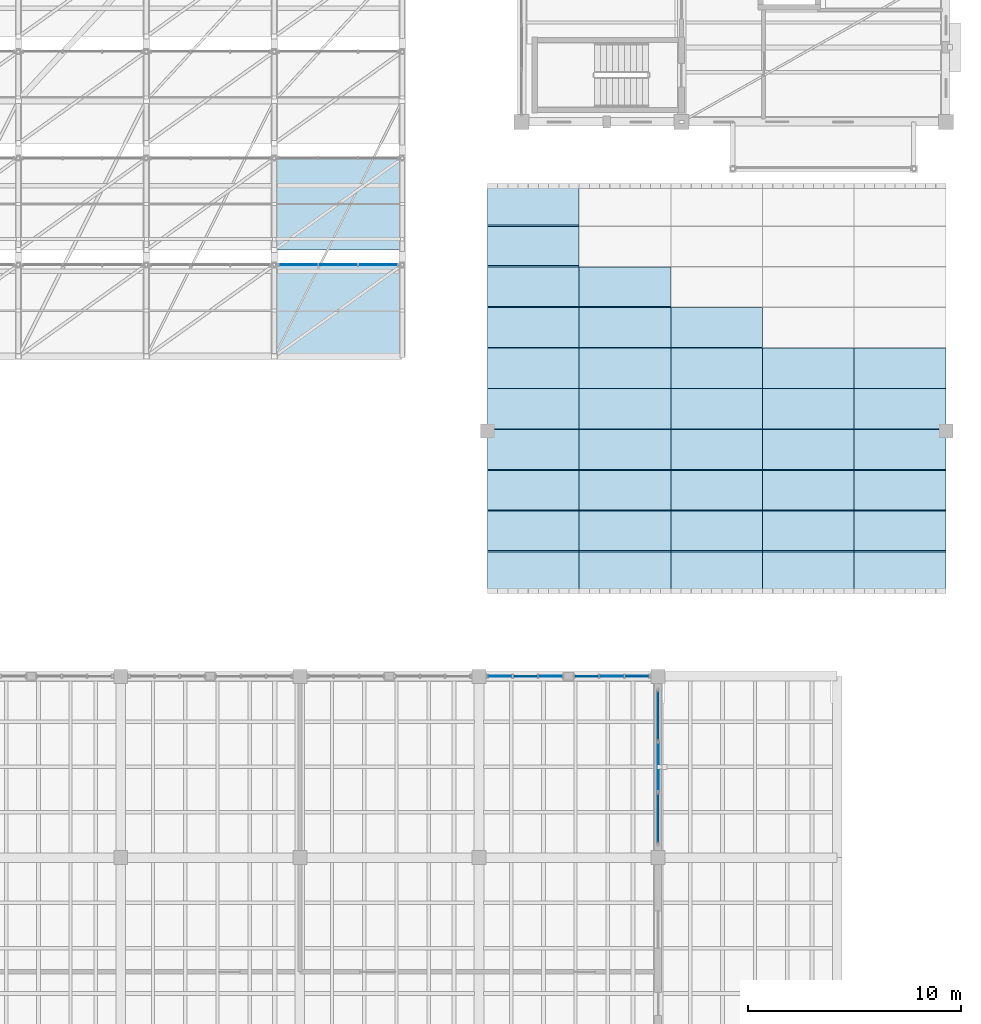
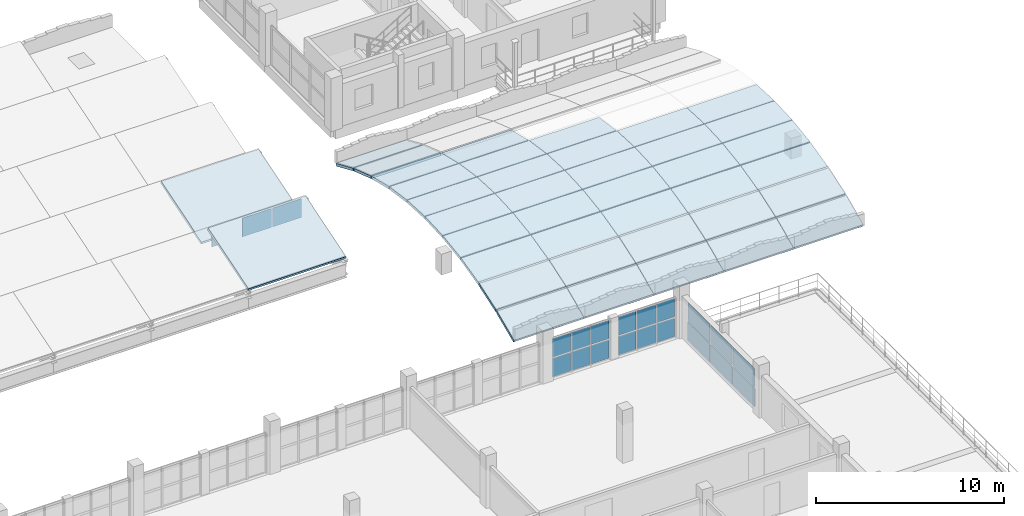
# One storey, part 28 of 48: 39 slabs, 21 plates, 4 elements without a shape of their own.
"""IFC4 building model written with IfcOpenShell, lengths in metres."""

from ifc_helpers import new_model, si_unit, direction, frame, origin, origin_2d, place, context, subcontext, project, spatial, polyline, rectangle, outline, extrude, material, layer, layer_set, type_object, element, aggregate, save


model = new_model("IFC4")

# Units and contexts
model_context = context("Model", 3, precision=1e-05, world=origin(), true_north=direction((0.0, 1.0)))
body_context = subcontext(model_context, "Body", "Model", "MODEL_VIEW")
ifc_project = project(units=[si_unit("LENGTHUNIT", "METRE"), si_unit("AREAUNIT", "SQUARE_METRE"), si_unit("VOLUMEUNIT", "CUBIC_METRE"), si_unit("PLANEANGLEUNIT", "RADIAN"), si_unit("MASSUNIT", "GRAM", prefix="KILO")], contexts=[model_context])

# Site, building, storey
site_placement = place(None, origin())
site = spatial("IfcSite", under=ifc_project, at=site_placement, CompositionType="ELEMENT")
building_placement = place(site_placement, origin())
building = spatial("IfcBuilding", under=site, at=building_placement, Name="Trellovar Central Fire Station", CompositionType="ELEMENT")
storey_placement = place(building_placement, frame((0.0, 0.0, 9.300048828125)))
storey = spatial("IfcBuildingStorey", under=building, at=storey_placement, Name="L03", CompositionType="ELEMENT", Elevation=9.300048828125)

# Curtain wall, plate
ifc_material_1 = material(Name="Thermally broken bronze anodized aluminum", Category="aluminium")
ifc_layer_1 = layer(ifc_material_1, 0.159912109375)
ifc_layer_set_1 = layer_set([ifc_layer_1], Name="Thermally broken bronze anodized aluminum")
curtain_wall_type_1 = type_object("IfcCurtainWallType", Name="CW-10", PredefinedType="NOTDEFINED", material=ifc_layer_set_1)
curtain_wall_1_placement = place(storey_placement, origin())
curtain_wall_1 = element("IfcCurtainWall", 1, at=curtain_wall_1_placement, inside=storey, type_object=curtain_wall_type_1, Name="L03 curtain wall CW-10", PredefinedType="NOTDEFINED")
ifc_material_2 = material(Name="Double low-E solar control insulated glazing", Category="glass")
ifc_layer_2 = layer(ifc_material_2, 0.031982421875)
ifc_layer_set_2 = layer_set([ifc_layer_2], Name="Double low-E solar control insulated glazing")
plate_type_1 = type_object("IfcPlateType", Name="CWP-GL1", PredefinedType="CURTAIN_PANEL", material=ifc_layer_set_2)
plate_1_placement = place(storey_placement, frame((140.091796875, 33.0, 1.31494140625), z_axis=(0.0, 0.0, 1.0), x_axis=(-1.0, 0.0, 0.0)))
plate_1 = element("IfcPlate", 2, at=plate_1_placement, type_object=plate_type_1, Name="CW3-L03-0085 panel 3-2", PredefinedType="CURTAIN_PANEL", context=body_context, shape_type="SweptSolid", body=[
    extrude(rectangle(XDim=1.103271484375, YDim=0.031982421875, at=origin_2d()), origin(), (0.0, 0.0, 1.0), 1.195068359375),
])

ifc_material_3 = material(Name="Thermally broken bronze anodized aluminum", Category="aluminium")
ifc_layer_3 = layer(ifc_material_3, 0.159912109375)
ifc_layer_set_3 = layer_set([ifc_layer_3], Name="Thermally broken bronze anodized aluminum")
curtain_wall_type_2 = type_object("IfcCurtainWallType", Name="CW-01", PredefinedType="NOTDEFINED", material=ifc_layer_set_3)
curtain_wall_2_placement = place(storey_placement, origin())
curtain_wall_2 = element("IfcCurtainWall", 3, at=curtain_wall_2_placement, inside=storey, type_object=curtain_wall_type_2, Name="L03 curtain wall CW-1", PredefinedType="NOTDEFINED")
plate_2_placement = place(storey_placement, frame((147.5, 28.75, 1.31494140625), z_axis=(0.0, 0.0, 1.0), x_axis=(0.0, 1.0, 0.0)))
plate_2 = element("IfcPlate", 4, at=plate_2_placement, type_object=plate_type_1, Name="CW3-L03-0090 panel 2-2", PredefinedType="CURTAIN_PANEL", context=body_context, shape_type="SweptSolid", body=[
    extrude(rectangle(XDim=2.320068359375, YDim=0.031982421875, at=origin_2d()), origin(), (0.0, 0.0, 1.0), 1.195068359375),
])

ifc_material_4 = material(Name="Thermally broken bronze anodized aluminum", Category="aluminium")
ifc_layer_4 = layer(ifc_material_4, 0.159912109375)
ifc_layer_set_4 = layer_set([ifc_layer_4], Name="Thermally broken bronze anodized aluminum")
curtain_wall_type_3 = type_object("IfcCurtainWallType", Name="CW-06", PredefinedType="NOTDEFINED", material=ifc_layer_set_4)
curtain_wall_3_placement = place(storey_placement, origin())
curtain_wall_3 = element("IfcCurtainWall", 5, at=curtain_wall_3_placement, inside=storey, type_object=curtain_wall_type_3, Name="V6 sawtooth north-light monitor 1-5", PredefinedType="NOTDEFINED")
plate_3_placement = place(storey_placement, frame((132.5, 52.300048828125, 0.2197265625), z_axis=(0.0, 0.0, 1.0), x_axis=(-1.0, 0.0, 0.0)))
plate_3 = element("IfcPlate", 6, at=plate_3_placement, type_object=plate_type_1, Name="CW3-L03-0139 panel 2-1", PredefinedType="CURTAIN_PANEL", context=body_context, shape_type="SweptSolid", body=[
    extrude(rectangle(XDim=1.78662109375, YDim=0.031982421875, at=origin_2d()), origin(), (0.0, 0.0, 1.0), 1.219970703125),
])

ifc_material_5 = material(Name="Thermally broken bronze anodized aluminum", Category="aluminium")
ifc_layer_5 = layer(ifc_material_5, 0.159912109375)
ifc_layer_set_5 = layer_set([ifc_layer_5], Name="Thermally broken bronze anodized aluminum")
curtain_wall_type_4 = type_object("IfcCurtainWallType", Name="CW-09", PredefinedType="NOTDEFINED", material=ifc_layer_set_5)
curtain_wall_4_placement = place(storey_placement, origin())
curtain_wall_4 = element("IfcCurtainWall", 7, at=curtain_wall_4_placement, inside=storey, type_object=curtain_wall_type_4, Name="L03 curtain wall CW-9", PredefinedType="NOTDEFINED")
ifc_material_6 = material(Name="Double low-E solar control insulated glazing", Category="glass")
ifc_layer_6 = layer(ifc_material_6, 0.035888671875)
ifc_layer_set_6 = layer_set([ifc_layer_6], Name="Double low-E solar control insulated glazing")
plate_type_2 = type_object("IfcPlateType", Name="CWP-GL2", PredefinedType="CURTAIN_PANEL", material=ifc_layer_set_6)
plate_4_placement = place(storey_placement, frame((146.50830078125, 33.0, 1.31494140625), z_axis=(0.0, 0.0, 1.0), x_axis=(-1.0, 0.0, 0.0)))
plate_4 = element("IfcPlate", 8, at=plate_4_placement, type_object=plate_type_2, Name="CW3-L03-0084 panel 1-2", PredefinedType="CURTAIN_PANEL", context=body_context, shape_type="SweptSolid", body=[
    extrude(rectangle(XDim=1.103271484375, YDim=0.035888671875, at=origin_2d()), origin(), (0.0, 0.0, 1.0), 1.195068359375),
])

# Plate
plate_5_placement = place(storey_placement, frame((147.5, 31.14990234375, 1.31494140625), z_axis=(0.0, 0.0, 1.0), x_axis=(0.0, 1.0, 0.0)))
plate_5 = element("IfcPlate", 9, at=plate_5_placement, type_object=plate_type_2, Name="CW3-L03-0090 panel 3-2", PredefinedType="CURTAIN_PANEL", context=body_context, shape_type="SweptSolid", body=[
    extrude(rectangle(XDim=2.320068359375, YDim=0.035888671875, at=origin_2d()), origin(), (0.0, 0.0, 1.0), 1.195068359375),
])

plate_6_placement = place(storey_placement, frame((130.63330078125, 52.300048828125, 0.2197265625), z_axis=(0.0, 0.0, 1.0), x_axis=(-1.0, 0.0, 0.0)))
plate_6 = element("IfcPlate", 10, at=plate_6_placement, type_object=plate_type_2, Name="CW3-L03-0139 panel 3-1", PredefinedType="CURTAIN_PANEL", context=body_context, shape_type="SweptSolid", body=[
    extrude(rectangle(XDim=1.78662109375, YDim=0.035888671875, at=origin_2d()), origin(), (0.0, 0.0, 1.0), 1.219970703125),
])

ifc_material_7 = material(Name="Double low-E solar control insulated glazing", Category="glass")
ifc_layer_7 = layer(ifc_material_7, 0.033935546875)
ifc_layer_set_7 = layer_set([ifc_layer_7], Name="Double low-E solar control insulated glazing")
plate_type_3 = type_object("IfcPlateType", Name="CWP-GL3", PredefinedType="CURTAIN_PANEL", material=ifc_layer_set_7)
plate_7_placement = place(storey_placement, frame((145.324951171875, 33.0, 1.31494140625), z_axis=(0.0, 0.0, 1.0), x_axis=(-1.0, 0.0, 0.0)))
plate_7 = element("IfcPlate", 11, at=plate_7_placement, type_object=plate_type_3, Name="CW3-L03-0084 panel 2-2", PredefinedType="CURTAIN_PANEL", context=body_context, shape_type="SweptSolid", body=[
    extrude(rectangle(XDim=1.103515625, YDim=0.033935546875, at=origin_2d()), origin(), (0.0, 0.0, 1.0), 1.195068359375),
])

plate_8_placement = place(storey_placement, frame((142.45849609375, 33.0, 1.31494140625), z_axis=(0.0, 0.0, 1.0), x_axis=(-1.0, 0.0, 0.0)))
plate_8 = element("IfcPlate", 12, at=plate_8_placement, type_object=plate_type_3, Name="CW3-L03-0085 panel 1-2", PredefinedType="CURTAIN_PANEL", context=body_context, shape_type="SweptSolid", body=[
    extrude(rectangle(XDim=1.103271484375, YDim=0.033935546875, at=origin_2d()), origin(), (0.0, 0.0, 1.0), 1.195068359375),
])

ifc_material_8 = material(Name="Double low-E solar control insulated glazing", Category="glass")
ifc_layer_8 = layer(ifc_material_8, 0.030029296875)
ifc_layer_set_8 = layer_set([ifc_layer_8], Name="Double low-E solar control insulated glazing")
plate_type_4 = type_object("IfcPlateType", Name="CWP-GL4", PredefinedType="CURTAIN_PANEL", material=ifc_layer_set_8)
plate_9_placement = place(storey_placement, frame((144.1416015625, 33.0, 1.31494140625), z_axis=(0.0, 0.0, 1.0), x_axis=(-1.0, 0.0, 0.0)))
plate_9 = element("IfcPlate", 13, at=plate_9_placement, type_object=plate_type_4, Name="CW3-L03-0084 panel 3-2", PredefinedType="CURTAIN_PANEL", context=body_context, shape_type="SweptSolid", body=[
    extrude(rectangle(XDim=1.103271484375, YDim=0.030029296875, at=origin_2d()), origin(), (0.0, 0.0, 1.0), 1.195068359375),
])

plate_10_placement = place(storey_placement, frame((141.27490234375, 33.0, 1.31494140625), z_axis=(0.0, 0.0, 1.0), x_axis=(-1.0, 0.0, 0.0)))
plate_10 = element("IfcPlate", 14, at=plate_10_placement, type_object=plate_type_4, Name="CW3-L03-0085 panel 2-2", PredefinedType="CURTAIN_PANEL", context=body_context, shape_type="SweptSolid", body=[
    extrude(rectangle(XDim=1.103515625, YDim=0.030029296875, at=origin_2d()), origin(), (0.0, 0.0, 1.0), 1.195068359375),
])

plate_11_placement = place(storey_placement, frame((147.5, 26.35009765625, 1.31494140625), z_axis=(0.0, 0.0, 1.0), x_axis=(0.0, 1.0, 0.0)))
plate_11 = element("IfcPlate", 15, at=plate_11_placement, type_object=plate_type_4, Name="CW3-L03-0090 panel 1-2", PredefinedType="CURTAIN_PANEL", context=body_context, shape_type="SweptSolid", body=[
    extrude(rectangle(XDim=2.320068359375, YDim=0.030029296875, at=origin_2d()), origin(), (0.0, 0.0, 1.0), 1.195068359375),
])

plate_12_placement = place(storey_placement, frame((134.36669921875, 52.300048828125, 0.2197265625), z_axis=(0.0, 0.0, 1.0), x_axis=(-1.0, 0.0, 0.0)))
plate_12 = element("IfcPlate", 16, at=plate_12_placement, type_object=plate_type_4, Name="CW3-L03-0139 panel 1-1", PredefinedType="CURTAIN_PANEL", context=body_context, shape_type="SweptSolid", body=[
    extrude(rectangle(XDim=1.78662109375, YDim=0.030029296875, at=origin_2d()), origin(), (0.0, 0.0, 1.0), 1.219970703125),
])

aggregate(curtain_wall_3, [plate_12, plate_3, plate_6])

ifc_material_9 = material(Name="Glazed ceramic trencadis and terracotta panel", Category="masonry")
ifc_layer_9 = layer(ifc_material_9, 0.048095703125)
ifc_layer_set_9 = layer_set([ifc_layer_9], Name="Glazed ceramic trencadis and terracotta panel")
plate_type_5 = type_object("IfcPlateType", Name="CWP-SP1", PredefinedType="CURTAIN_PANEL", material=ifc_layer_set_9)
plate_13_placement = place(storey_placement, frame((146.50830078125, 33.0, 0.0400390625), z_axis=(0.0, 0.0, 1.0), x_axis=(-1.0, 0.0, 0.0)))
plate_13 = element("IfcPlate", 17, at=plate_13_placement, type_object=plate_type_5, Name="CW3-L03-0084 panel 1-1", PredefinedType="CURTAIN_PANEL", context=body_context, shape_type="SweptSolid", body=[
    extrude(rectangle(XDim=1.103271484375, YDim=0.048095703125, at=origin_2d()), origin(), (0.0, 0.0, 1.0), 1.195068359375),
])

plate_14_placement = place(storey_placement, frame((144.1416015625, 33.0, 0.0400390625), z_axis=(0.0, 0.0, 1.0), x_axis=(-1.0, 0.0, 0.0)))
plate_14 = element("IfcPlate", 18, at=plate_14_placement, type_object=plate_type_5, Name="CW3-L03-0084 panel 3-1", PredefinedType="CURTAIN_PANEL", context=body_context, shape_type="SweptSolid", body=[
    extrude(rectangle(XDim=1.103271484375, YDim=0.048095703125, at=origin_2d()), origin(), (0.0, 0.0, 1.0), 1.195068359375),
])

plate_15_placement = place(storey_placement, frame((141.27490234375, 33.0, 0.0400390625), z_axis=(0.0, 0.0, 1.0), x_axis=(-1.0, 0.0, 0.0)))
plate_15 = element("IfcPlate", 19, at=plate_15_placement, type_object=plate_type_5, Name="CW3-L03-0085 panel 2-1", PredefinedType="CURTAIN_PANEL", context=body_context, shape_type="SweptSolid", body=[
    extrude(rectangle(XDim=1.103515625, YDim=0.048095703125, at=origin_2d()), origin(), (0.0, 0.0, 1.0), 1.195068359375),
])

plate_16_placement = place(storey_placement, frame((147.5, 26.35009765625, 0.0400390625), z_axis=(0.0, 0.0, 1.0), x_axis=(0.0, 1.0, 0.0)))
plate_16 = element("IfcPlate", 20, at=plate_16_placement, type_object=plate_type_5, Name="CW3-L03-0090 panel 1-1", PredefinedType="CURTAIN_PANEL", context=body_context, shape_type="SweptSolid", body=[
    extrude(rectangle(XDim=2.320068359375, YDim=0.048095703125, at=origin_2d()), origin(), (0.0, 0.0, 1.0), 1.195068359375),
])

plate_17_placement = place(storey_placement, frame((147.5, 31.14990234375, 0.0400390625), z_axis=(0.0, 0.0, 1.0), x_axis=(0.0, 1.0, 0.0)))
plate_17 = element("IfcPlate", 21, at=plate_17_placement, type_object=plate_type_5, Name="CW3-L03-0090 panel 3-1", PredefinedType="CURTAIN_PANEL", context=body_context, shape_type="SweptSolid", body=[
    extrude(rectangle(XDim=2.320068359375, YDim=0.048095703125, at=origin_2d()), origin(), (0.0, 0.0, 1.0), 1.195068359375),
])

ifc_material_10 = material(Name="Glazed ceramic trencadis and terracotta panel", Category="masonry")
ifc_layer_10 = layer(ifc_material_10, 0.044921875)
ifc_layer_set_10 = layer_set([ifc_layer_10], Name="Glazed ceramic trencadis and terracotta panel")
plate_type_6 = type_object("IfcPlateType", Name="CWP-SP2", PredefinedType="CURTAIN_PANEL", material=ifc_layer_set_10)
plate_18_placement = place(storey_placement, frame((145.324951171875, 33.0, 0.0400390625), z_axis=(0.0, 0.0, 1.0), x_axis=(-1.0, 0.0, 0.0)))
plate_18 = element("IfcPlate", 22, at=plate_18_placement, type_object=plate_type_6, Name="CW3-L03-0084 panel 2-1", PredefinedType="CURTAIN_PANEL", context=body_context, shape_type="SweptSolid", body=[
    extrude(rectangle(XDim=1.103515625, YDim=0.044921875, at=origin_2d()), origin(), (0.0, 0.0, 1.0), 1.195068359375),
])

aggregate(curtain_wall_4, [plate_13, plate_4, plate_18, plate_7, plate_14, plate_9])

plate_19_placement = place(storey_placement, frame((142.45849609375, 33.0, 0.0400390625), z_axis=(0.0, 0.0, 1.0), x_axis=(-1.0, 0.0, 0.0)))
plate_19 = element("IfcPlate", 23, at=plate_19_placement, type_object=plate_type_6, Name="CW3-L03-0085 panel 1-1", PredefinedType="CURTAIN_PANEL", context=body_context, shape_type="SweptSolid", body=[
    extrude(rectangle(XDim=1.103271484375, YDim=0.044921875, at=origin_2d()), origin(), (0.0, 0.0, 1.0), 1.195068359375),
])

plate_20_placement = place(storey_placement, frame((140.091796875, 33.0, 0.0400390625), z_axis=(0.0, 0.0, 1.0), x_axis=(-1.0, 0.0, 0.0)))
plate_20 = element("IfcPlate", 24, at=plate_20_placement, type_object=plate_type_6, Name="CW3-L03-0085 panel 3-1", PredefinedType="CURTAIN_PANEL", context=body_context, shape_type="SweptSolid", body=[
    extrude(rectangle(XDim=1.103271484375, YDim=0.044921875, at=origin_2d()), origin(), (0.0, 0.0, 1.0), 1.195068359375),
])

aggregate(curtain_wall_1, [plate_19, plate_8, plate_15, plate_10, plate_20, plate_1])

plate_21_placement = place(storey_placement, frame((147.5, 28.75, 0.0400390625), z_axis=(0.0, 0.0, 1.0), x_axis=(0.0, 1.0, 0.0)))
plate_21 = element("IfcPlate", 25, at=plate_21_placement, type_object=plate_type_6, Name="CW3-L03-0090 panel 2-1", PredefinedType="CURTAIN_PANEL", context=body_context, shape_type="SweptSolid", body=[
    extrude(rectangle(XDim=2.320068359375, YDim=0.044921875, at=origin_2d()), origin(), (0.0, 0.0, 1.0), 1.195068359375),
])

aggregate(curtain_wall_2, [plate_16, plate_11, plate_21, plate_2, plate_17, plate_5])

# Slabs
ifc_material_11 = material(Name="Concrete C40/50", Category="concrete")
ifc_layer_11 = layer(ifc_material_11, 0.1650390625)
ifc_layer_set_11 = layer_set([ifc_layer_11], Name="Concrete C40/50")
slab_type_1 = type_object("IfcSlabType", Name="SLB-SAW165", PredefinedType="ROOF", material=ifc_layer_set_11)
for number, where, z_axis, x_axis, name in (
    (26, (129.5, 48.0, 0.179931640625), (0.0, -0.299554733308, 0.954079117135), (1.0, 0.0, 0.0), "V6 sawtooth roof shell 1-129"),
    (27, (129.5, 53.0, 0.179931640625), (0.0, -0.299554733308, 0.954079117135), (1.0, 0.0, 0.0), "V6 sawtooth roof shell 2-129"),
):
    element("IfcSlab", number, at=place(storey_placement, frame(where, z_axis=z_axis, x_axis=x_axis)), inside=storey, type_object=slab_type_1, Name=name, PredefinedType="ROOF", context=body_context, shape_type="SweptSolid", body=[
        extrude(outline(polyline([(0.0, 0.0), (6.0, 0.0), (6.0, 4.5070149329318765), (0.0, 4.5070149329318765), (0.0, 0.0)])), origin(), (0.0, 0.0, -1.0), 0.1650390625),
    ])
ifc_material_12 = material(Name="Concrete C40/50", Category="concrete")
ifc_layer_12 = layer(ifc_material_12, 0.169921875)
ifc_layer_set_12 = layer_set([ifc_layer_12], Name="Concrete C40/50")
slab_type_2 = type_object("IfcSlabType", Name="SLB-VLT170", PredefinedType="ROOF", material=ifc_layer_set_12)
slab_1_placement = place(storey_placement, frame((139.5, 37.001953125, 0.000732421875), z_axis=(0.0, -0.3994825379, 0.916740804106), x_axis=(1.0, 0.0, 0.0)))
element("IfcSlab", 28, at=slab_1_placement, inside=storey, type_object=slab_type_2, Name="Catalan barrel vault strip V3-01-01", PredefinedType="ROOF", context=body_context, shape_type="SweptSolid", body=[
    extrude(outline(polyline([(0.0, 0.0), (4.300048828125, 0.0), (4.300048828125, 1.9941568999789239), (0.0, 1.9941568999789239), (0.0, 0.0)])), origin(), (0.0, 0.0, -1.0), 0.169921875),
])
slab_2_placement = place(storey_placement, frame((139.5, 38.902099609375, 0.82861328125), z_axis=(0.0, -0.320970555239, 0.947089173557), x_axis=(1.0, 0.0, 0.0)))
element("IfcSlab", 29, at=slab_2_placement, inside=storey, type_object=slab_type_2, Name="Catalan barrel vault strip V3-01-02", PredefinedType="ROOF", context=body_context, shape_type="SweptSolid", body=[
    extrude(outline(polyline([(0.0, 0.0), (4.300048828125, 0.0), (4.300048828125, 1.9441765835352818), (0.0, 1.9441765835352818), (0.0, 0.0)])), origin(), (0.0, 0.0, -1.0), 0.169921875),
])
slab_3_placement = place(storey_placement, frame((139.5, 40.802001953125, 1.472412109375), z_axis=(0.0, -0.235248720614, 0.971935203318), x_axis=(1.0, 0.0, 0.0)))
element("IfcSlab", 30, at=slab_3_placement, inside=storey, type_object=slab_type_2, Name="Catalan barrel vault strip V3-01-03", PredefinedType="ROOF", context=body_context, shape_type="SweptSolid", body=[
    extrude(outline(polyline([(0.0, 0.0), (4.300048828125, 0.0), (4.300048828125, 1.9095481107314045), (0.0, 1.9095481107314045), (0.0, 0.0)])), origin(), (0.0, 0.0, -1.0), 0.169921875),
])
slab_4_placement = place(storey_placement, frame((139.5, 42.701904296875, 1.932373046875), z_axis=(0.0, -0.143680109205, 0.989624184334), x_axis=(1.0, 0.0, 0.0)))
element("IfcSlab", 31, at=slab_4_placement, inside=storey, type_object=slab_type_2, Name="Catalan barrel vault strip V3-01-04", PredefinedType="ROOF", context=body_context, shape_type="SweptSolid", body=[
    extrude(outline(polyline([(0.0, 0.0), (4.300048828125, 0.0), (4.300048828125, 1.8912048238891637), (0.0, 1.8912048238891637), (0.0, 0.0)])), origin(), (0.0, 0.0, -1.0), 0.169921875),
])
for number, where, z_axis, x_axis, name in (
    (32, (139.5, 44.60205078125, 2.2080078125), (0.0, -0.048442800618, 0.998825958347), (1.0, 0.0, 0.0), "Catalan barrel vault strip V3-01-05"),
    (33, (139.5, 46.51025390625, 2.299560546875), (0.0, 0.048442800618, 0.998825958347), (1.0, 0.0, 0.0), "Catalan barrel vault strip V3-01-06"),
):
    element("IfcSlab", number, at=place(storey_placement, frame(where, z_axis=z_axis, x_axis=x_axis)), inside=storey, type_object=slab_type_2, Name=name, PredefinedType="ROOF", context=body_context, shape_type="SweptSolid", body=[
        extrude(outline(polyline([(0.0, 0.0), (4.300048828125, 0.0), (4.300048828125, 1.8899141504327683), (0.0, 1.8899141504327683), (0.0, 0.0)])), origin(), (0.0, 0.0, -1.0), 0.169921875),
    ])
slab_5_placement = place(storey_placement, frame((139.5, 48.426513671875, 2.2041015625), z_axis=(0.0, 0.143680109205, 0.989624184334), x_axis=(1.0, 0.0, 0.0)))
element("IfcSlab", 34, at=slab_5_placement, inside=storey, type_object=slab_type_2, Name="Catalan barrel vault strip V3-01-07", PredefinedType="ROOF", context=body_context, shape_type="SweptSolid", body=[
    extrude(outline(polyline([(0.0, 0.0), (4.300048828125, 0.0), (4.300048828125, 1.8912048238891637), (0.0, 1.8912048238891637), (0.0, 0.0)])), origin(), (0.0, 0.0, -1.0), 0.169921875),
])
slab_6_placement = place(storey_placement, frame((139.5, 50.342041015625, 1.921630859375), z_axis=(0.0, 0.235248720614, 0.971935203318), x_axis=(1.0, 0.0, 0.0)))
element("IfcSlab", 35, at=slab_6_placement, inside=storey, type_object=slab_type_2, Name="Catalan barrel vault strip V3-01-08", PredefinedType="ROOF", context=body_context, shape_type="SweptSolid", body=[
    extrude(outline(polyline([(0.0, 0.0), (4.300048828125, 0.0), (4.300048828125, 1.9095481107314045), (0.0, 1.9095481107314045), (0.0, 0.0)])), origin(), (0.0, 0.0, -1.0), 0.169921875),
])
slab_7_placement = place(storey_placement, frame((139.5, 52.256591796875, 1.45263671875), z_axis=(0.0, 0.320970555239, 0.947089173557), x_axis=(1.0, 0.0, 0.0)))
element("IfcSlab", 36, at=slab_7_placement, inside=storey, type_object=slab_type_2, Name="Catalan barrel vault strip V3-01-09", PredefinedType="ROOF", context=body_context, shape_type="SweptSolid", body=[
    extrude(outline(polyline([(0.0, 0.0), (4.300048828125, 0.0), (4.300048828125, 1.9441765835352818), (0.0, 1.9441765835352818), (0.0, 0.0)])), origin(), (0.0, 0.0, -1.0), 0.169921875),
])
for number, where, z_axis, x_axis, name in (
    (37, (139.5, 54.169921875, 0.79736328125), (0.0, 0.3994825379, 0.916740804106), (1.0, 0.0, 0.0), "Catalan barrel vault strip V3-01-10"),
    (38, (143.800048828125, 37.001953125, 0.000732421875), (0.0, -0.3994825379, 0.916740804106), (1.0, 0.0, 0.0), "Catalan barrel vault strip V3-02-01"),
):
    element("IfcSlab", number, at=place(storey_placement, frame(where, z_axis=z_axis, x_axis=x_axis)), inside=storey, type_object=slab_type_2, Name=name, PredefinedType="ROOF", context=body_context, shape_type="SweptSolid", body=[
        extrude(outline(polyline([(0.0, 0.0), (4.300048828125, 0.0), (4.300048828125, 1.9941568999789239), (0.0, 1.9941568999789239), (0.0, 0.0)])), origin(), (0.0, 0.0, -1.0), 0.169921875),
    ])
slab_8_placement = place(storey_placement, frame((143.800048828125, 38.902099609375, 0.82861328125), z_axis=(0.0, -0.320970555239, 0.947089173557), x_axis=(1.0, 0.0, 0.0)))
element("IfcSlab", 39, at=slab_8_placement, inside=storey, type_object=slab_type_2, Name="Catalan barrel vault strip V3-02-02", PredefinedType="ROOF", context=body_context, shape_type="SweptSolid", body=[
    extrude(outline(polyline([(0.0, 0.0), (4.300048828125, 0.0), (4.300048828125, 1.9441765835352818), (0.0, 1.9441765835352818), (0.0, 0.0)])), origin(), (0.0, 0.0, -1.0), 0.169921875),
])
slab_9_placement = place(storey_placement, frame((143.800048828125, 40.802001953125, 1.472412109375), z_axis=(0.0, -0.235248720614, 0.971935203318), x_axis=(1.0, 0.0, 0.0)))
element("IfcSlab", 40, at=slab_9_placement, inside=storey, type_object=slab_type_2, Name="Catalan barrel vault strip V3-02-03", PredefinedType="ROOF", context=body_context, shape_type="SweptSolid", body=[
    extrude(outline(polyline([(0.0, 0.0), (4.300048828125, 0.0), (4.300048828125, 1.9095481107314045), (0.0, 1.9095481107314045), (0.0, 0.0)])), origin(), (0.0, 0.0, -1.0), 0.169921875),
])
slab_10_placement = place(storey_placement, frame((143.800048828125, 42.701904296875, 1.932373046875), z_axis=(0.0, -0.143680109205, 0.989624184334), x_axis=(1.0, 0.0, 0.0)))
element("IfcSlab", 41, at=slab_10_placement, inside=storey, type_object=slab_type_2, Name="Catalan barrel vault strip V3-02-04", PredefinedType="ROOF", context=body_context, shape_type="SweptSolid", body=[
    extrude(outline(polyline([(0.0, 0.0), (4.300048828125, 0.0), (4.300048828125, 1.8912048238891637), (0.0, 1.8912048238891637), (0.0, 0.0)])), origin(), (0.0, 0.0, -1.0), 0.169921875),
])
for number, where, z_axis, x_axis, name in (
    (42, (143.800048828125, 44.60205078125, 2.2080078125), (0.0, -0.048442800618, 0.998825958347), (1.0, 0.0, 0.0), "Catalan barrel vault strip V3-02-05"),
    (43, (143.800048828125, 46.51025390625, 2.299560546875), (0.0, 0.048442800618, 0.998825958347), (1.0, 0.0, 0.0), "Catalan barrel vault strip V3-02-06"),
):
    element("IfcSlab", number, at=place(storey_placement, frame(where, z_axis=z_axis, x_axis=x_axis)), inside=storey, type_object=slab_type_2, Name=name, PredefinedType="ROOF", context=body_context, shape_type="SweptSolid", body=[
        extrude(outline(polyline([(0.0, 0.0), (4.300048828125, 0.0), (4.300048828125, 1.8899141504327683), (0.0, 1.8899141504327683), (0.0, 0.0)])), origin(), (0.0, 0.0, -1.0), 0.169921875),
    ])
slab_11_placement = place(storey_placement, frame((143.800048828125, 48.426513671875, 2.2041015625), z_axis=(0.0, 0.143680109205, 0.989624184334), x_axis=(1.0, 0.0, 0.0)))
element("IfcSlab", 44, at=slab_11_placement, inside=storey, type_object=slab_type_2, Name="Catalan barrel vault strip V3-02-07", PredefinedType="ROOF", context=body_context, shape_type="SweptSolid", body=[
    extrude(outline(polyline([(0.0, 0.0), (4.300048828125, 0.0), (4.300048828125, 1.8912048238891637), (0.0, 1.8912048238891637), (0.0, 0.0)])), origin(), (0.0, 0.0, -1.0), 0.169921875),
])
slab_12_placement = place(storey_placement, frame((143.800048828125, 50.342041015625, 1.921630859375), z_axis=(0.0, 0.235248720614, 0.971935203318), x_axis=(1.0, 0.0, 0.0)))
element("IfcSlab", 45, at=slab_12_placement, inside=storey, type_object=slab_type_2, Name="Catalan barrel vault strip V3-02-08", PredefinedType="ROOF", context=body_context, shape_type="SweptSolid", body=[
    extrude(outline(polyline([(0.0, 0.0), (4.300048828125, 0.0), (4.300048828125, 1.9095481107314045), (0.0, 1.9095481107314045), (0.0, 0.0)])), origin(), (0.0, 0.0, -1.0), 0.169921875),
])
slab_13_placement = place(storey_placement, frame((148.10009765625, 37.001953125, 0.000732421875), z_axis=(0.0, -0.3994825379, 0.916740804106), x_axis=(1.0, 0.0, 0.0)))
element("IfcSlab", 46, at=slab_13_placement, inside=storey, type_object=slab_type_2, Name="Catalan barrel vault strip V3-03-01", PredefinedType="ROOF", context=body_context, shape_type="SweptSolid", body=[
    extrude(outline(polyline([(0.0, 0.0), (4.2998046875, 0.0), (4.2998046875, 1.9941568999789239), (0.0, 1.9941568999789239), (0.0, 0.0)])), origin(), (0.0, 0.0, -1.0), 0.169921875),
])
slab_14_placement = place(storey_placement, frame((148.10009765625, 38.902099609375, 0.82861328125), z_axis=(0.0, -0.320970555239, 0.947089173557), x_axis=(1.0, 0.0, 0.0)))
element("IfcSlab", 47, at=slab_14_placement, inside=storey, type_object=slab_type_2, Name="Catalan barrel vault strip V3-03-02", PredefinedType="ROOF", context=body_context, shape_type="SweptSolid", body=[
    extrude(outline(polyline([(0.0, 0.0), (4.2998046875, 0.0), (4.2998046875, 1.944176583535281), (0.0, 1.944176583535281), (0.0, 0.0)])), origin(), (0.0, 0.0, -1.0), 0.169921875),
])
slab_15_placement = place(storey_placement, frame((148.10009765625, 40.802001953125, 1.472412109375), z_axis=(0.0, -0.235248720614, 0.971935203318), x_axis=(1.0, 0.0, 0.0)))
element("IfcSlab", 48, at=slab_15_placement, inside=storey, type_object=slab_type_2, Name="Catalan barrel vault strip V3-03-03", PredefinedType="ROOF", context=body_context, shape_type="SweptSolid", body=[
    extrude(outline(polyline([(0.0, 0.0), (4.2998046875, 0.0), (4.2998046875, 1.9095481107314043), (0.0, 1.9095481107314043), (0.0, 0.0)])), origin(), (0.0, 0.0, -1.0), 0.169921875),
])
slab_16_placement = place(storey_placement, frame((148.10009765625, 42.701904296875, 1.932373046875), z_axis=(0.0, -0.143680109205, 0.989624184334), x_axis=(1.0, 0.0, 0.0)))
element("IfcSlab", 49, at=slab_16_placement, inside=storey, type_object=slab_type_2, Name="Catalan barrel vault strip V3-03-04", PredefinedType="ROOF", context=body_context, shape_type="SweptSolid", body=[
    extrude(outline(polyline([(0.0, 0.0), (4.2998046875, 0.0), (4.2998046875, 1.8912048238891634), (0.0, 1.8912048238891634), (0.0, 0.0)])), origin(), (0.0, 0.0, -1.0), 0.169921875),
])
for number, where, z_axis, x_axis, name in (
    (50, (148.10009765625, 44.60205078125, 2.2080078125), (0.0, -0.048442800618, 0.998825958347), (1.0, 0.0, 0.0), "Catalan barrel vault strip V3-03-05"),
    (51, (148.10009765625, 46.51025390625, 2.299560546875), (0.0, 0.048442800618, 0.998825958347), (1.0, 0.0, 0.0), "Catalan barrel vault strip V3-03-06"),
):
    element("IfcSlab", number, at=place(storey_placement, frame(where, z_axis=z_axis, x_axis=x_axis)), inside=storey, type_object=slab_type_2, Name=name, PredefinedType="ROOF", context=body_context, shape_type="SweptSolid", body=[
        extrude(outline(polyline([(0.0, 0.0), (4.2998046875, 0.0), (4.2998046875, 1.8899141504327683), (0.0, 1.8899141504327683), (0.0, 0.0)])), origin(), (0.0, 0.0, -1.0), 0.169921875),
    ])
slab_17_placement = place(storey_placement, frame((148.10009765625, 48.426513671875, 2.2041015625), z_axis=(0.0, 0.143680109205, 0.989624184334), x_axis=(1.0, 0.0, 0.0)))
element("IfcSlab", 52, at=slab_17_placement, inside=storey, type_object=slab_type_2, Name="Catalan barrel vault strip V3-03-07", PredefinedType="ROOF", context=body_context, shape_type="SweptSolid", body=[
    extrude(outline(polyline([(0.0, 0.0), (4.2998046875, 0.0), (4.2998046875, 1.8912048238891634), (0.0, 1.8912048238891634), (0.0, 0.0)])), origin(), (0.0, 0.0, -1.0), 0.169921875),
])
slab_18_placement = place(storey_placement, frame((152.39990234375, 37.001953125, 0.000732421875), z_axis=(0.0, -0.3994825379, 0.916740804106), x_axis=(1.0, 0.0, 0.0)))
element("IfcSlab", 53, at=slab_18_placement, inside=storey, type_object=slab_type_2, Name="Catalan barrel vault strip V3-04-01", PredefinedType="ROOF", context=body_context, shape_type="SweptSolid", body=[
    extrude(outline(polyline([(0.0, 0.0), (4.300048828125, 0.0), (4.300048828125, 1.9941568999789239), (0.0, 1.9941568999789239), (0.0, 0.0)])), origin(), (0.0, 0.0, -1.0), 0.169921875),
])
slab_19_placement = place(storey_placement, frame((152.39990234375, 38.902099609375, 0.82861328125), z_axis=(0.0, -0.320970555239, 0.947089173557), x_axis=(1.0, 0.0, 0.0)))
element("IfcSlab", 54, at=slab_19_placement, inside=storey, type_object=slab_type_2, Name="Catalan barrel vault strip V3-04-02", PredefinedType="ROOF", context=body_context, shape_type="SweptSolid", body=[
    extrude(outline(polyline([(0.0, 0.0), (4.300048828125, 0.0), (4.300048828125, 1.9441765835352818), (0.0, 1.9441765835352818), (0.0, 0.0)])), origin(), (0.0, 0.0, -1.0), 0.169921875),
])
slab_20_placement = place(storey_placement, frame((152.39990234375, 40.802001953125, 1.472412109375), z_axis=(0.0, -0.235248720614, 0.971935203318), x_axis=(1.0, 0.0, 0.0)))
element("IfcSlab", 55, at=slab_20_placement, inside=storey, type_object=slab_type_2, Name="Catalan barrel vault strip V3-04-03", PredefinedType="ROOF", context=body_context, shape_type="SweptSolid", body=[
    extrude(outline(polyline([(0.0, 0.0), (4.300048828125, 0.0), (4.300048828125, 1.9095481107314045), (0.0, 1.9095481107314045), (0.0, 0.0)])), origin(), (0.0, 0.0, -1.0), 0.169921875),
])
slab_21_placement = place(storey_placement, frame((152.39990234375, 42.701904296875, 1.932373046875), z_axis=(0.0, -0.143680109205, 0.989624184334), x_axis=(1.0, 0.0, 0.0)))
element("IfcSlab", 56, at=slab_21_placement, inside=storey, type_object=slab_type_2, Name="Catalan barrel vault strip V3-04-04", PredefinedType="ROOF", context=body_context, shape_type="SweptSolid", body=[
    extrude(outline(polyline([(0.0, 0.0), (4.300048828125, 0.0), (4.300048828125, 1.8912048238891637), (0.0, 1.8912048238891637), (0.0, 0.0)])), origin(), (0.0, 0.0, -1.0), 0.169921875),
])
for number, where, z_axis, x_axis, name in (
    (57, (152.39990234375, 44.60205078125, 2.2080078125), (0.0, -0.048442800618, 0.998825958347), (1.0, 0.0, 0.0), "Catalan barrel vault strip V3-04-05"),
    (58, (152.39990234375, 46.51025390625, 2.299560546875), (0.0, 0.048442800618, 0.998825958347), (1.0, 0.0, 0.0), "Catalan barrel vault strip V3-04-06"),
):
    element("IfcSlab", number, at=place(storey_placement, frame(where, z_axis=z_axis, x_axis=x_axis)), inside=storey, type_object=slab_type_2, Name=name, PredefinedType="ROOF", context=body_context, shape_type="SweptSolid", body=[
        extrude(outline(polyline([(0.0, 0.0), (4.300048828125, 0.0), (4.300048828125, 1.8899141504327683), (0.0, 1.8899141504327683), (0.0, 0.0)])), origin(), (0.0, 0.0, -1.0), 0.169921875),
    ])
slab_22_placement = place(storey_placement, frame((156.699951171875, 37.001953125, 0.000732421875), z_axis=(0.0, -0.3994825379, 0.916740804106), x_axis=(1.0, 0.0, 0.0)))
element("IfcSlab", 59, at=slab_22_placement, inside=storey, type_object=slab_type_2, Name="Catalan barrel vault strip V3-05-01", PredefinedType="ROOF", context=body_context, shape_type="SweptSolid", body=[
    extrude(outline(polyline([(0.0, 0.0), (4.300048828125, 0.0), (4.300048828125, 1.9941568999789239), (0.0, 1.9941568999789239), (0.0, 0.0)])), origin(), (0.0, 0.0, -1.0), 0.169921875),
])
slab_23_placement = place(storey_placement, frame((156.699951171875, 38.902099609375, 0.82861328125), z_axis=(0.0, -0.320970555239, 0.947089173557), x_axis=(1.0, 0.0, 0.0)))
element("IfcSlab", 60, at=slab_23_placement, inside=storey, type_object=slab_type_2, Name="Catalan barrel vault strip V3-05-02", PredefinedType="ROOF", context=body_context, shape_type="SweptSolid", body=[
    extrude(outline(polyline([(0.0, 0.0), (4.300048828125, 0.0), (4.300048828125, 1.9441765835352818), (0.0, 1.9441765835352818), (0.0, 0.0)])), origin(), (0.0, 0.0, -1.0), 0.169921875),
])
slab_24_placement = place(storey_placement, frame((156.699951171875, 40.802001953125, 1.472412109375), z_axis=(0.0, -0.235248720614, 0.971935203318), x_axis=(1.0, 0.0, 0.0)))
element("IfcSlab", 61, at=slab_24_placement, inside=storey, type_object=slab_type_2, Name="Catalan barrel vault strip V3-05-03", PredefinedType="ROOF", context=body_context, shape_type="SweptSolid", body=[
    extrude(outline(polyline([(0.0, 0.0), (4.300048828125, 0.0), (4.300048828125, 1.9095481107314045), (0.0, 1.9095481107314045), (0.0, 0.0)])), origin(), (0.0, 0.0, -1.0), 0.169921875),
])
slab_25_placement = place(storey_placement, frame((156.699951171875, 42.701904296875, 1.932373046875), z_axis=(0.0, -0.143680109205, 0.989624184334), x_axis=(1.0, 0.0, 0.0)))
element("IfcSlab", 62, at=slab_25_placement, inside=storey, type_object=slab_type_2, Name="Catalan barrel vault strip V3-05-04", PredefinedType="ROOF", context=body_context, shape_type="SweptSolid", body=[
    extrude(outline(polyline([(0.0, 0.0), (4.300048828125, 0.0), (4.300048828125, 1.8912048238891637), (0.0, 1.8912048238891637), (0.0, 0.0)])), origin(), (0.0, 0.0, -1.0), 0.169921875),
])
for number, where, z_axis, x_axis, name in (
    (63, (156.699951171875, 44.60205078125, 2.2080078125), (0.0, -0.048442800618, 0.998825958347), (1.0, 0.0, 0.0), "Catalan barrel vault strip V3-05-05"),
    (64, (156.699951171875, 46.51025390625, 2.299560546875), (0.0, 0.048442800618, 0.998825958347), (1.0, 0.0, 0.0), "Catalan barrel vault strip V3-05-06"),
):
    element("IfcSlab", number, at=place(storey_placement, frame(where, z_axis=z_axis, x_axis=x_axis)), inside=storey, type_object=slab_type_2, Name=name, PredefinedType="ROOF", context=body_context, shape_type="SweptSolid", body=[
        extrude(outline(polyline([(0.0, 0.0), (4.300048828125, 0.0), (4.300048828125, 1.8899141504327683), (0.0, 1.8899141504327683), (0.0, 0.0)])), origin(), (0.0, 0.0, -1.0), 0.169921875),
    ])

save(model, "model.ifc")
